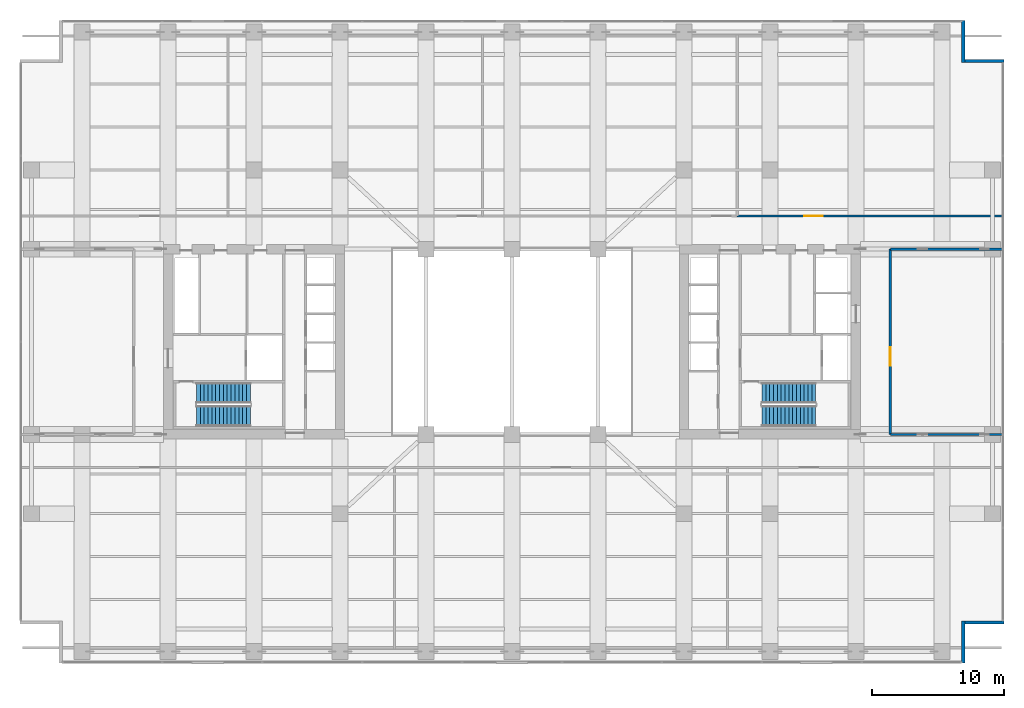
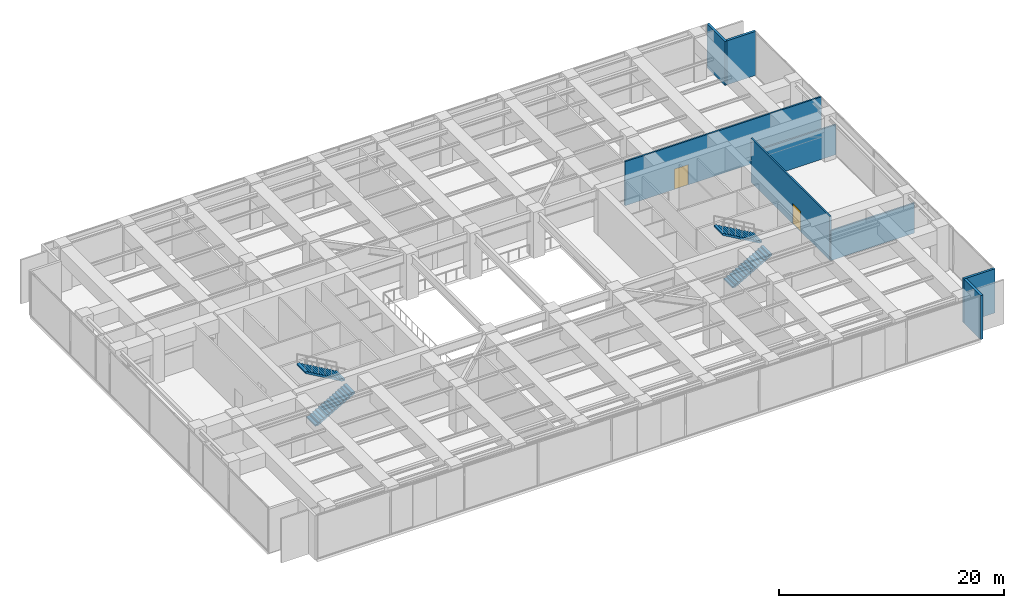
# One storey, part 24 of 28: 8 walls, 4 stair flights, 2 doors, 2 openings, 2 elements without a shape of their own.
"""IFC4 building model written with IfcOpenShell, lengths in metres."""

from ifc_helpers import new_model, si_unit, direction, frame, frame_2d, origin, place, context, subcontext, project, spatial, polyline, rectangle, outline, extrude, material, layer, layer_set, type_object, element, fill, aggregate, save


model = new_model("IFC4")

# Units and contexts
model_context = context("Model", 3, precision=1e-05, world=origin(), true_north=direction((0.0, 1.0)))
body_context = subcontext(model_context, "Body", "Model", "MODEL_VIEW")
ifc_project = project(units=[si_unit("LENGTHUNIT", "METRE"), si_unit("AREAUNIT", "SQUARE_METRE"), si_unit("VOLUMEUNIT", "CUBIC_METRE"), si_unit("PLANEANGLEUNIT", "RADIAN"), si_unit("MASSUNIT", "GRAM", prefix="KILO")], contexts=[model_context])

# Site, building, storey
site_placement = place(None, origin())
site = spatial("IfcSite", under=ifc_project, at=site_placement, CompositionType="ELEMENT")
building_placement = place(site_placement, origin())
building = spatial("IfcBuilding", under=site, at=building_placement, Name="Putna Gate Headquarters", CompositionType="ELEMENT")
storey_placement = place(building_placement, frame((0.0, 0.0, 139.199951171875)))
storey = spatial("IfcBuildingStorey", under=building, at=storey_placement, Name="L34", CompositionType="ELEMENT", Elevation=139.199951171875)

# Walls
ifc_material_1 = material(Name="Precast concrete C40/50", Category="concrete")
ifc_layer_1 = layer(ifc_material_1, 0.239990234375)
ifc_layer_set_1 = layer_set([ifc_layer_1], Name="Precast concrete C40/50")
wall_type_1 = type_object("IfcWallType", Name="WALL-EXT-TERR-240", PredefinedType="STANDARD", material=ifc_layer_set_1)
for number, where, z_axis, x_axis, name in (
    (1, (73.1201171875, 50.300048828125, 0.0), (0.0, 0.0, 1.0), (0.0, -1.0, 0.0), "L34 Corner Notch Return Wall NE-V"),
    (2, (73.0, 47.219970703125, 0.0), (0.0, 0.0, 1.0), (1.0, 0.0, 0.0), "L34 Corner Notch Return Wall NE-H"),
    (3, (73.1201171875, 4.89990234375, 0.0), (0.0, 0.0, 1.0), (0.0, -1.0, 0.0), "L34 Corner Notch Return Wall SE-V"),
    (4, (76.199951171875, 4.780029296875, 0.0), (0.0, 0.0, 1.0), (-1.0, 0.0, 0.0), "L34 Corner Notch Return Wall SE-H"),
):
    element("IfcWall", number, at=place(storey_placement, frame(where, z_axis=z_axis, x_axis=x_axis)), inside=storey, type_object=wall_type_1, Name=name, PredefinedType="STANDARD", context=body_context, shape_type="SweptSolid", body=[
        extrude(rectangle(XDim=3.199951171875, YDim=0.239990234375, at=frame_2d((1.60009765625, 0.0))), origin(), (0.0, 0.0, 1.0), 4.77197265625),
    ])

# Wall, opening, door
ifc_material_2 = material(Name="Concrete C40/50", Category="concrete")
ifc_layer_2 = layer(ifc_material_2, 0.159912109375)
ifc_layer_set_2 = layer_set([ifc_layer_2], Name="Concrete C40/50")
wall_type_2 = type_object("IfcWallType", Name="WALL-SHAFT-160", PredefinedType="STANDARD", material=ifc_layer_set_2)
wall_1_placement = place(storey_placement, frame((67.60009765625, 19.0, 0.0), z_axis=(0.0, 0.0, 1.0), x_axis=(0.0, 1.0, 0.0)))
wall_1 = element("IfcWall", 5, at=wall_1_placement, inside=storey, type_object=wall_type_2, Name="L34 Interior Wall PART-L34-REFE", PredefinedType="STANDARD", context=body_context, shape_type="SweptSolid", body=[
    extrude(rectangle(XDim=14.0, YDim=0.159912109375, at=frame_2d((7.0, 0.0))), origin(), (0.0, 0.0, 1.0), 4.77197265625),
])
opening_1_placement = place(wall_1_placement, frame((5.199951171875, 0.0, 0.0)))
opening_1 = element("IfcOpeningElement", 6, at=opening_1_placement, cuts=wall_1, Name="Opening FDD-140", PredefinedType="OPENING", context=body_context, shape_type="SweptSolid", body=[
    extrude(rectangle(XDim=1.39990234375, YDim=2.199951171875, at=frame_2d((0.699951171875, 1.10009765625))), frame((0.0, 0.08984375, 0.0), z_axis=(0.0, -1.0, 0.0), x_axis=(1.0, 0.0, 0.0)), (0.0, 0.0, 1.0), 0.179931640625),
])
ifc_material_3 = material(Name="Double steel fire door", Category="steel")
door_type = type_object("IfcDoorType", Name="DOOR-FIRE-DBL-1400", OperationType="DOUBLE_DOOR_SINGLE_SWING", PredefinedType="DOOR", material=ifc_material_3)
door_1_placement = place(opening_1_placement, origin())
door_1 = element("IfcDoor", 7, at=door_1_placement, inside=storey, type_object=door_type, Name="L34 East Refuge Area Door", OperationType="DOUBLE_DOOR_SINGLE_SWING", OverallHeight=2.199951171875, OverallWidth=1.39990234375, PredefinedType="DOOR", context=body_context, shape_type="SweptSolid", body=[
    extrude(rectangle(XDim=1.39990234375, YDim=2.199951171875, at=frame_2d((0.699951171875, 1.10009765625))), frame((0.0, 0.02490234375, 0.0), z_axis=(0.0, -1.0, 0.0), x_axis=(1.0, 0.0, 0.0)), (0.0, 0.0, 1.0), 0.050048828125),
])
fill(opening_1, door_1)

# Walls
for number, where, z_axis, x_axis, name in (
    (8, (67.60009765625, 19.0, 0.0), (0.0, 0.0, 1.0), (1.0, 0.0, 0.0), "L34 Interior Wall PART-L34-REFE-S"),
    (9, (67.60009765625, 33.0, 0.0), (0.0, 0.0, 1.0), (1.0, 0.0, 0.0), "L34 Interior Wall PART-L34-REFE-N"),
):
    element("IfcWall", number, at=place(storey_placement, frame(where, z_axis=z_axis, x_axis=x_axis)), inside=storey, type_object=wall_type_2, Name=name, PredefinedType="STANDARD", context=body_context, shape_type="SweptSolid", body=[
        extrude(rectangle(XDim=8.579833984375, YDim=0.159912109375, at=frame_2d((4.2900390625, 0.0))), origin(), (0.0, 0.0, 1.0), 3.251953125),
    ])

# Wall, opening, door
wall_2_placement = place(storey_placement, frame((56.029296875, 35.5, 0.0), z_axis=(0.0, 0.0, 1.0), x_axis=(1.0, 0.0, 0.0)))
wall_2 = element("IfcWall", 10, at=wall_2_placement, inside=storey, type_object=wall_type_2, Name="L34 Interior Wall PART-L34-PN-CW4", PredefinedType="STANDARD", context=body_context, shape_type="SweptSolid", body=[
    extrude(rectangle(XDim=20.150634765625, YDim=0.159912109375, at=frame_2d((10.0751953125, 0.0))), origin(), (0.0, 0.0, 1.0), 4.77197265625),
])
opening_2_placement = place(wall_2_placement, frame((5.08544921875, 0.0, 0.0)))
opening_2 = element("IfcOpeningElement", 11, at=opening_2_placement, cuts=wall_2, Name="Opening FDD-140", PredefinedType="OPENING", context=body_context, shape_type="SweptSolid", body=[
    extrude(rectangle(XDim=1.39990234375, YDim=2.199951171875, at=frame_2d((0.699951171875, 1.10009765625))), frame((0.0, 0.08984375, 0.0), z_axis=(0.0, -1.0, 0.0), x_axis=(1.0, 0.0, 0.0)), (0.0, 0.0, 1.0), 0.179931640625),
])
door_2_placement = place(opening_2_placement, origin())
door_2 = element("IfcDoor", 12, at=door_2_placement, inside=storey, type_object=door_type, Name="L34 BMS and Telecoms Control Plant Room Door", OperationType="DOUBLE_DOOR_SINGLE_SWING", OverallHeight=2.199951171875, OverallWidth=1.39990234375, PredefinedType="DOOR", context=body_context, shape_type="SweptSolid", body=[
    extrude(rectangle(XDim=1.39990234375, YDim=2.199951171875, at=frame_2d((0.699951171875, 1.10009765625))), frame((0.0, 0.02490234375, 0.0), z_axis=(0.0, -1.0, 0.0), x_axis=(1.0, 0.0, 0.0)), (0.0, 0.0, 1.0), 0.050048828125),
])
fill(opening_2, door_2)

# Stair, stair flights
stair_type_1 = type_object("IfcStairType", Name="STAIR-ST1", PredefinedType="HALF_TURN_STAIR", material=ifc_material_2)
stair_1_placement = place(storey_placement, origin())
stair_1 = element("IfcStair", 13, at=stair_1_placement, inside=storey, type_object=stair_type_1, Name="L34 West Core Exit Stair ST1", PredefinedType="HALF_TURN_STAIR")
stair_flight_type_1 = type_object("IfcStairFlightType", Name="FLIGHT-ST1", PredefinedType="STRAIGHT", material=ifc_material_2)
stair_flight_1_placement = place(storey_placement, frame((15.14990234375, 20.375, 0.0), z_axis=(0.0, 0.0, 1.0), x_axis=(1.0, 0.0, 0.0)))
stair_flight_1 = element("IfcStairFlight", 14, at=stair_flight_1_placement, type_object=stair_flight_type_1, Name="ST1 flight 1", NumberOfRisers=15, NumberOfTreads=14, PredefinedType="STRAIGHT", RiserHeight=0.166666667, TreadLength=0.29, context=body_context, shape_type="SweptSolid", body=[
    extrude(outline(polyline([(0.0, 0.0), (0.0, 0.166748046875), (0.2900390625, 0.166748046875), (0.2900390625, 0.333251953125), (0.580078125, 0.333251953125), (0.580078125, 0.5), (0.8701171875, 0.5), (0.8701171875, 0.666748046875), (1.159912109375, 0.666748046875), (1.159912109375, 0.833251953125), (1.449951171875, 0.833251953125), (1.449951171875, 1.0), (1.739990234375, 1.0), (1.739990234375, 1.166748046875), (2.030029296875, 1.166748046875), (2.030029296875, 1.333251953125), (2.320068359375, 1.333251953125), (2.320068359375, 1.5), (2.610107421875, 1.5), (2.610107421875, 1.666748046875), (2.89990234375, 1.666748046875), (2.89990234375, 1.833251953125), (3.18994140625, 1.833251953125), (3.18994140625, 2.0), (3.47998046875, 2.0), (3.47998046875, 2.166748046875), (3.77001953125, 2.166748046875), (3.77001953125, 2.333251953125), (4.06005859375, 2.333251953125), (4.06005859375, 2.5), (4.06005859375, 2.160400390625), (0.30078125, 0.0), (0.0, 0.0)])), frame((0.0, 0.77490234375, 0.0), z_axis=(0.0, -1.0, 0.0), x_axis=(1.0, 0.0, 0.0)), (0.0, 0.0, 1.0), 1.550048828125),
])
stair_flight_2_placement = place(storey_placement, frame((19.2099609375, 22.125, 2.5), z_axis=(0.0, 0.0, 1.0), x_axis=(-1.0, 0.0, 0.0)))
stair_flight_2 = element("IfcStairFlight", 15, at=stair_flight_2_placement, type_object=stair_flight_type_1, Name="ST1 flight 2", NumberOfRisers=15, NumberOfTreads=14, PredefinedType="STRAIGHT", RiserHeight=0.166666667, TreadLength=0.29, context=body_context, shape_type="SweptSolid", body=[
    extrude(outline(polyline([(0.0, 0.0), (0.0, 0.166748046875), (0.2900390625, 0.166748046875), (0.2900390625, 0.333251953125), (0.580078125, 0.333251953125), (0.580078125, 0.5), (0.8701171875, 0.5), (0.8701171875, 0.666748046875), (1.159912109375, 0.666748046875), (1.159912109375, 0.833251953125), (1.449951171875, 0.833251953125), (1.449951171875, 1.0), (1.739990234375, 1.0), (1.739990234375, 1.166748046875), (2.030029296875, 1.166748046875), (2.030029296875, 1.333251953125), (2.320068359375, 1.333251953125), (2.320068359375, 1.5), (2.610107421875, 1.5), (2.610107421875, 1.666748046875), (2.89990234375, 1.666748046875), (2.89990234375, 1.833251953125), (3.18994140625, 1.833251953125), (3.18994140625, 2.0), (3.47998046875, 2.0), (3.47998046875, 2.166748046875), (3.77001953125, 2.166748046875), (3.77001953125, 2.333251953125), (4.06005859375, 2.333251953125), (4.06005859375, 2.5), (4.06005859375, 2.160400390625), (0.30078125, 0.0), (0.0, 0.0)])), frame((0.0, 0.77490234375, 0.0), z_axis=(0.0, -1.0, 0.0), x_axis=(1.0, 0.0, 0.0)), (0.0, 0.0, 1.0), 1.550048828125),
])
aggregate(stair_1, [stair_flight_1, stair_flight_2])

stair_type_2 = type_object("IfcStairType", Name="STAIR-ST2", PredefinedType="HALF_TURN_STAIR", material=ifc_material_2)
stair_2_placement = place(storey_placement, origin())
stair_2 = element("IfcStair", 16, at=stair_2_placement, inside=storey, type_object=stair_type_2, Name="L34 East Core Exit Stair ST2", PredefinedType="HALF_TURN_STAIR")
stair_flight_type_2 = type_object("IfcStairFlightType", Name="FLIGHT-ST2", PredefinedType="STRAIGHT", material=ifc_material_2)
stair_flight_3_placement = place(storey_placement, frame((57.89990234375, 20.375, 0.0), z_axis=(0.0, 0.0, 1.0), x_axis=(1.0, 0.0, 0.0)))
stair_flight_3 = element("IfcStairFlight", 17, at=stair_flight_3_placement, type_object=stair_flight_type_2, Name="ST2 flight 1", NumberOfRisers=15, NumberOfTreads=14, PredefinedType="STRAIGHT", RiserHeight=0.166666667, TreadLength=0.29, context=body_context, shape_type="SweptSolid", body=[
    extrude(outline(polyline([(0.0, 0.0), (0.0, 0.166748046875), (0.2900390625, 0.166748046875), (0.2900390625, 0.333251953125), (0.580078125, 0.333251953125), (0.580078125, 0.5), (0.8701171875, 0.5), (0.8701171875, 0.666748046875), (1.159912109375, 0.666748046875), (1.159912109375, 0.833251953125), (1.449951171875, 0.833251953125), (1.449951171875, 1.0), (1.739990234375, 1.0), (1.739990234375, 1.166748046875), (2.030029296875, 1.166748046875), (2.030029296875, 1.333251953125), (2.320068359375, 1.333251953125), (2.320068359375, 1.5), (2.610107421875, 1.5), (2.610107421875, 1.666748046875), (2.89990234375, 1.666748046875), (2.89990234375, 1.833251953125), (3.18994140625, 1.833251953125), (3.18994140625, 2.0), (3.47998046875, 2.0), (3.47998046875, 2.166748046875), (3.77001953125, 2.166748046875), (3.77001953125, 2.333251953125), (4.06005859375, 2.333251953125), (4.06005859375, 2.5), (4.06005859375, 2.160400390625), (0.30078125, 0.0), (0.0, 0.0)])), frame((0.0, 0.77490234375, 0.0), z_axis=(0.0, -1.0, 0.0), x_axis=(1.0, 0.0, 0.0)), (0.0, 0.0, 1.0), 1.550048828125),
])
stair_flight_4_placement = place(storey_placement, frame((61.9599609375, 22.125, 2.5), z_axis=(0.0, 0.0, 1.0), x_axis=(-1.0, 0.0, 0.0)))
stair_flight_4 = element("IfcStairFlight", 18, at=stair_flight_4_placement, type_object=stair_flight_type_2, Name="ST2 flight 2", NumberOfRisers=15, NumberOfTreads=14, PredefinedType="STRAIGHT", RiserHeight=0.166666667, TreadLength=0.29, context=body_context, shape_type="SweptSolid", body=[
    extrude(outline(polyline([(0.0, 0.0), (0.0, 0.166748046875), (0.2900390625, 0.166748046875), (0.2900390625, 0.333251953125), (0.580078125, 0.333251953125), (0.580078125, 0.5), (0.8701171875, 0.5), (0.8701171875, 0.666748046875), (1.159912109375, 0.666748046875), (1.159912109375, 0.833251953125), (1.449951171875, 0.833251953125), (1.449951171875, 1.0), (1.739990234375, 1.0), (1.739990234375, 1.166748046875), (2.030029296875, 1.166748046875), (2.030029296875, 1.333251953125), (2.320068359375, 1.333251953125), (2.320068359375, 1.5), (2.610107421875, 1.5), (2.610107421875, 1.666748046875), (2.89990234375, 1.666748046875), (2.89990234375, 1.833251953125), (3.18994140625, 1.833251953125), (3.18994140625, 2.0), (3.47998046875, 2.0), (3.47998046875, 2.166748046875), (3.77001953125, 2.166748046875), (3.77001953125, 2.333251953125), (4.06005859375, 2.333251953125), (4.06005859375, 2.5), (4.06005859375, 2.160400390625), (0.30078125, 0.0), (0.0, 0.0)])), frame((0.0, 0.77490234375, 0.0), z_axis=(0.0, -1.0, 0.0), x_axis=(1.0, 0.0, 0.0)), (0.0, 0.0, 1.0), 1.550048828125),
])
aggregate(stair_2, [stair_flight_3, stair_flight_4])

save(model, "model.ifc")
